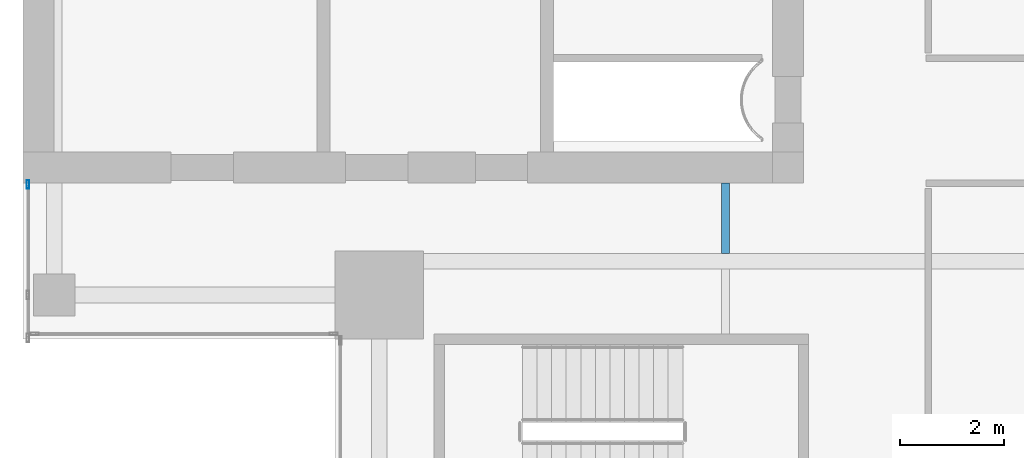
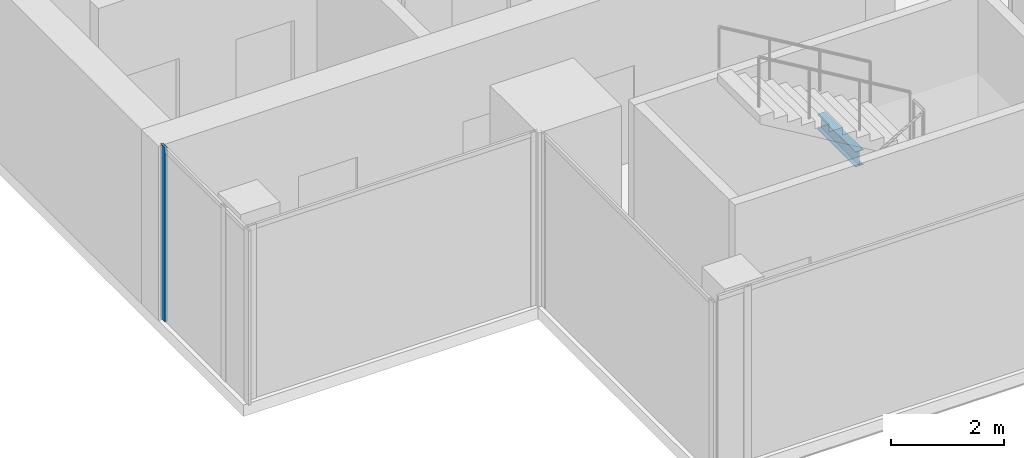
# One storey, part 4 of 29: 1 beam, 1 member, 1 element without a shape of its own.
"""IFC4 building model written with IfcOpenShell, lengths in metres."""

from ifc_helpers import new_model, si_unit, direction, frame, origin, origin_2d, place, context, subcontext, project, spatial, hollow_rectangle, i_section, extrude, source, transform, mapped, material, material_profile, profile_set, type_object, element, aggregate, save


model = new_model("IFC4")

# Units and contexts
model_context = context("Model", 3, precision=1e-05, world=origin(), true_north=direction((0.0, 1.0)))
body_context = subcontext(model_context, "Body", "Model", "MODEL_VIEW")
ifc_project = project(units=[si_unit("LENGTHUNIT", "METRE"), si_unit("AREAUNIT", "SQUARE_METRE"), si_unit("VOLUMEUNIT", "CUBIC_METRE"), si_unit("PLANEANGLEUNIT", "RADIAN"), si_unit("MASSUNIT", "GRAM", prefix="KILO")], contexts=[model_context])

# Site, building, storey
site_placement = place(None, origin())
site = spatial("IfcSite", under=ifc_project, at=site_placement, CompositionType="ELEMENT")
building_placement = place(site_placement, origin())
building = spatial("IfcBuilding", under=site, at=building_placement, Name="Khomas Fold Tower", CompositionType="ELEMENT")
storey_placement = place(building_placement, frame((0.0, 0.0, 310.199951171875)))
storey = spatial("IfcBuildingStorey", under=building, at=storey_placement, Name="L70", CompositionType="ELEMENT", Elevation=310.199951171875)

# Beam
ifc_material_1 = material(Name="Steel S355", Category="steel")
ifc_material_profile_1 = material_profile(ifc_material_1, i_section(OverallWidth=0.159912109375, OverallDepth=0.330078125, WebThickness=0.007568359375, FlangeThickness=0.011474609375, at=origin_2d()), Name="IPE 330")
ifc_profile_set_1 = profile_set([ifc_material_profile_1], Name="Steel S355")
beam_type = type_object("IfcBeamType", Name="IPE 330 beam JB1", PredefinedType="BEAM", material=ifc_profile_set_1)
shared_shape_1 = source(origin(), body_context, "Body", "SweptSolid", [
    extrude(i_section(OverallWidth=0.159912109375, OverallDepth=0.330078125, WebThickness=0.007568359375, FlangeThickness=0.011474609375, at=origin_2d()), origin(), (0.0, 0.0, 1.0), 1.35009765625),
])
beam_placement = place(storey_placement, frame((19.5, 13.64990234375, -0.4150390625), z_axis=(0.0, 1.0, 0.0), x_axis=(-1.0, 0.0, 0.0)))
element("IfcBeam", 1, at=beam_placement, inside=storey, type_object=beam_type, Name="JB1", PredefinedType="BEAM", context=body_context, shape_type="MappedRepresentation", body=[
    mapped(shared_shape_1, transform((0.0, 0.0, 0.0))),
])

# Curtain wall, member
ifc_material_2 = material(Name="Aluminium framed double glazing", Category="aluminium")
curtain_wall_type = type_object("IfcCurtainWallType", Name="SK-Unitised clear-glass wall, upper floors CW3", PredefinedType="NOTDEFINED", material=ifc_material_2)
curtain_wall_placement = place(storey_placement, origin())
curtain_wall = element("IfcCurtainWall", 2, at=curtain_wall_placement, inside=storey, type_object=curtain_wall_type, Name="CW3 run L70 09-1", PredefinedType="NOTDEFINED")
ifc_material_3 = material(Name="Aluminium", Category="aluminium")
ifc_material_profile_2 = material_profile(ifc_material_3, hollow_rectangle(XDim=0.050048828125, YDim=0.159912109375, WallThickness=0.00390625, at=origin_2d()), Name="SK-Unitised clear-glass wall, upper floors mullion CW3-M")
ifc_profile_set_2 = profile_set([ifc_material_profile_2], Name="Aluminium")
member_type = type_object("IfcMemberType", Name="SK-Unitised clear-glass wall, upper floors mullion CW3-M", PredefinedType="MULLION", material=ifc_profile_set_2)
shared_shape_2 = source(origin(), body_context, "Body", "SweptSolid", [
    extrude(hollow_rectangle(XDim=0.050048828125, YDim=0.159912109375, WallThickness=0.00390625, at=origin_2d()), origin(), (0.0, 0.0, 1.0), 3.75),
])
member_placement = place(storey_placement, frame((6.10009765625, 14.97509765625, 0.0), z_axis=(0.0, 0.0, 1.0), x_axis=(1.0, 0.0, 0.0)))
member = element("IfcMember", 3, at=member_placement, type_object=member_type, Name="CW3 mullion 1", PredefinedType="MULLION", context=body_context, shape_type="MappedRepresentation", body=[
    mapped(shared_shape_2, transform((0.0, 0.0, 0.0))),
])
aggregate(curtain_wall, [member])

save(model, "model.ifc")
